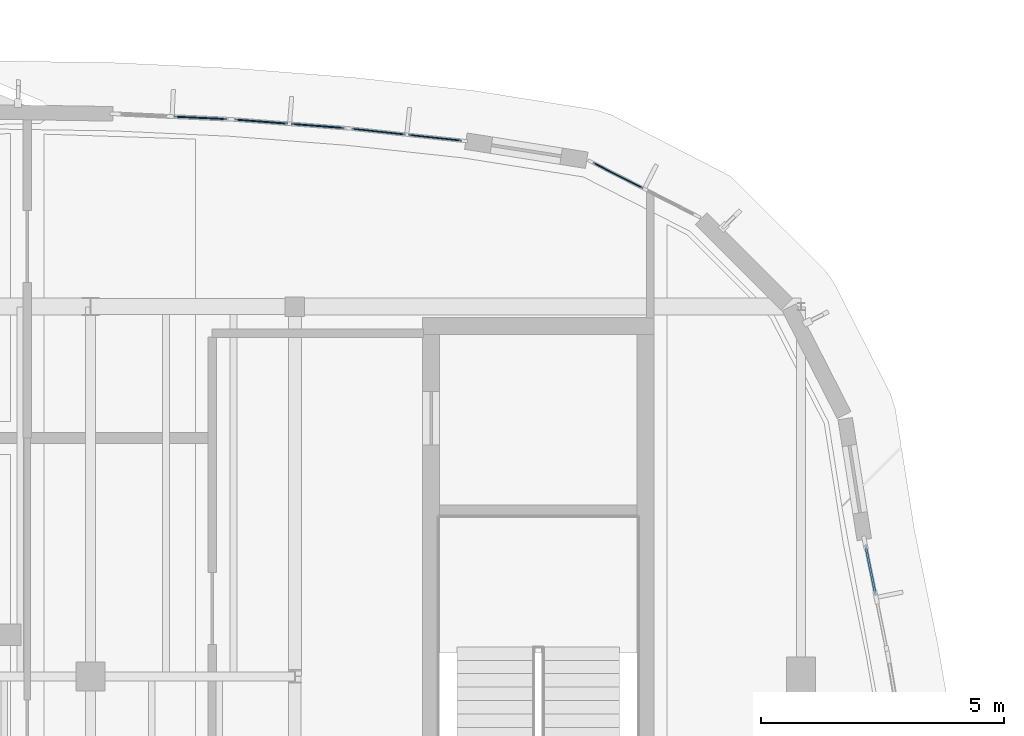
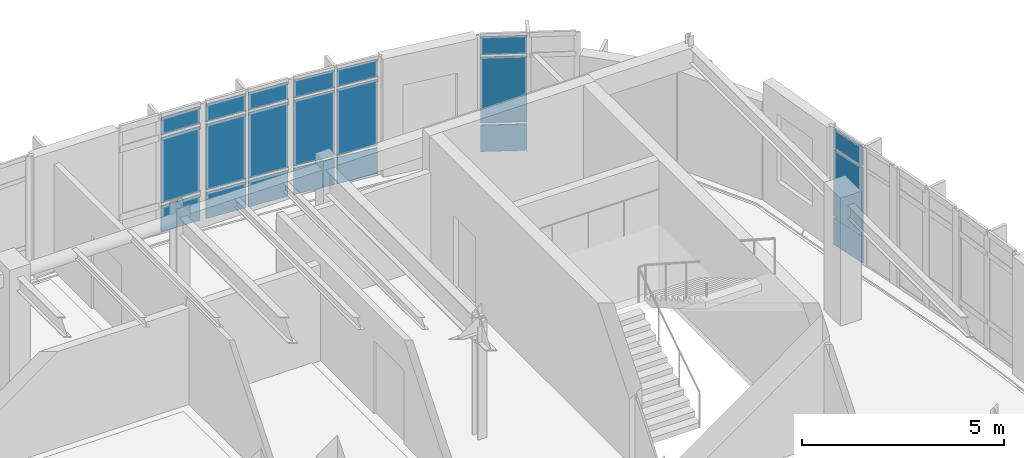
# One storey, part 80 of 111: 21 plates, 5 elements without a shape of their own.
"""IFC4 building model written with IfcOpenShell, lengths in metres."""

import ifcopenshell
import ifcopenshell.guid

model = None  # the IFC model being written
_history = None  # IfcOwnerHistory: only IFC2X3 demands one
_inside = {}  # id of a spatial element -> (the spatial element, [elements in it])
_under = {}  # id of a project, library or spatial element -> (it, [spatial elements below it])
_declared = {}  # id of a project -> (the project, [libraries it declares])
_typed = {}  # id of a type object -> (the type object, [elements of that type])
_made_of = {}  # id of a material, layer set ... -> (it, [elements and type objects made of it])


def new_model(schema):
    """Start an empty IFC model of exactly this schema.

    Asked for "IFC4X3", IfcOpenShell would pick the latest addendum, in which some entities
    have other attributes; the version numbers below select the first issue.
    IFC2X3 requires an IfcOwnerHistory on every rooted entity: one is made here for all.
    """
    global model, _history
    if schema == "IFC4X3":
        model = ifcopenshell.file(schema_version=(4, 3, 0, 0))
    else:
        model = ifcopenshell.file(schema=schema)
    _inside.clear()
    _under.clear()
    _declared.clear()
    _typed.clear()
    _made_of.clear()
    _history = None
    if model.schema == "IFC2X3":
        org = make("IfcOrganization", Name="unknown")
        user = make(
            "IfcPersonAndOrganization",
            ThePerson=make("IfcPerson", FamilyName="unknown"),
            TheOrganization=org,
        )
        app = make(
            "IfcApplication",
            ApplicationDeveloper=org,
            Version="unknown",
            ApplicationFullName="unknown",
            ApplicationIdentifier="unknown",
        )
        _history = make(
            "IfcOwnerHistory",
            OwningUser=user,
            OwningApplication=app,
            ChangeAction="ADDED",
            CreationDate=0,
        )
    return model


def make(cls, **values):
    """One entity of the class cls with the attributes given. An attribute that is None is left unset."""
    return model.create_entity(
        cls, **{name: value for name, value in values.items() if value is not None}
    )


def rooted(cls, **values):
    """An entity with a GlobalId (a new one), such as an element, a storey or a relation."""
    return make(cls, GlobalId=ifcopenshell.guid.new(), OwnerHistory=_history, **values)


def si_unit(unit_type, name, prefix=None):
    """IfcSIUnit, for example si_unit("LENGTHUNIT", "METRE", prefix="MILLI")."""
    return make("IfcSIUnit", UnitType=unit_type, Prefix=prefix, Name=name)


def assignment(units):
    """IfcUnitAssignment: the units of a project."""
    return None if units is None else make("IfcUnitAssignment", Units=units)


def point(xyz):
    """IfcCartesianPoint."""
    return None if xyz is None else make("IfcCartesianPoint", Coordinates=xyz)


def direction(xyz):
    """IfcDirection."""
    return None if xyz is None else make("IfcDirection", DirectionRatios=xyz)


def frame(location, z_axis=None, x_axis=None):
    """IfcAxis2Placement3D, a coordinate frame: its origin and axes. An axis left out is left unset."""
    return make(
        "IfcAxis2Placement3D",
        Location=point(location),
        Axis=direction(z_axis),
        RefDirection=direction(x_axis),
    )


def frame_2d(location, x_axis=None):
    """IfcAxis2Placement2D, a coordinate frame in the plane: its origin and x axis."""
    return make(
        "IfcAxis2Placement2D", Location=point(location), RefDirection=direction(x_axis)
    )


def origin():
    """The frame at (0, 0, 0) with its axes left unset."""
    return frame((0.0, 0.0, 0.0))


def origin_2d():
    """The frame at (0, 0) in the plane with its x axis left unset."""
    return frame_2d((0.0, 0.0))


def place(relative_to, where):
    """IfcLocalPlacement: puts the frame where relative to a parent placement (None: the world)."""
    return make(
        "IfcLocalPlacement", PlacementRelTo=relative_to, RelativePlacement=where
    )


def context(
    kind, dimensions, precision=None, world=None, true_north=None, identifier=None
):
    """IfcGeometricRepresentationContext, for example the 3D "Model" context."""
    return make(
        "IfcGeometricRepresentationContext",
        ContextIdentifier=identifier,
        ContextType=kind,
        CoordinateSpaceDimension=dimensions,
        Precision=precision,
        WorldCoordinateSystem=world,
        TrueNorth=true_north,
    )


def subcontext(parent, identifier, kind, view, scale=None):
    """IfcGeometricRepresentationSubContext, for example "Body" below "Model"."""
    return make(
        "IfcGeometricRepresentationSubContext",
        ContextIdentifier=identifier,
        ContextType=kind,
        ParentContext=parent,
        TargetScale=scale,
        TargetView=view,
    )


def project(units=None, contexts=None):
    """IfcProject with its units and contexts."""
    return rooted(
        "IfcProject",
        Name="project",
        RepresentationContexts=contexts,
        UnitsInContext=assignment(units),
    )


def spatial(cls, under=None, at=None, **own):
    """A site, building, storey or space (cls), placed at a placement, below another one or the project."""
    s = rooted(cls, ObjectPlacement=at, **own)
    if under is not None:
        _under.setdefault(under.id(), (under, []))[1].append(s)
    return s


def profile(cls, at=None, kind="AREA", **sizes):
    """A parametric profile (cls). Its sizes go by their IFC names, for example OverallWidth=200.0."""
    return make(cls, ProfileType=kind, Position=at, **sizes)


def rectangle(**sizes):
    """IfcRectangleProfileDef."""
    return profile("IfcRectangleProfileDef", **sizes)


def extrude(swept, where, along, depth):
    """IfcExtrudedAreaSolid: the profile swept, set in the frame where, extruded along a direction by depth."""
    return make(
        "IfcExtrudedAreaSolid",
        SweptArea=swept,
        Position=where,
        ExtrudedDirection=direction(along),
        Depth=depth,
    )


def shape(context_of_items, identifier, shape_type, items):
    """IfcShapeRepresentation: the items that make up one representation, for example the "Body"."""
    return make(
        "IfcShapeRepresentation",
        ContextOfItems=context_of_items,
        RepresentationIdentifier=identifier,
        RepresentationType=shape_type,
        Items=items,
    )


def material(Name=None, Category=None):
    """IfcMaterial."""
    return make("IfcMaterial", Name=Name, Category=Category)


def layer(
    of_material, thickness, ventilated=None, Name=None, Category=None, Priority=None
):
    """IfcMaterialLayer: one layer of a wall or slab, of a material (None: an air gap)."""
    return make(
        "IfcMaterialLayer",
        Material=of_material,
        LayerThickness=thickness,
        IsVentilated=ventilated,
        Name=Name,
        Category=Category,
        Priority=Priority,
    )


def layer_set(layers, Name=None):
    """IfcMaterialLayerSet."""
    return make("IfcMaterialLayerSet", MaterialLayers=layers, LayerSetName=Name)


def made_of(thing, what):
    """Note that an element or type object is made of a material, layer set ...; save() writes the relation."""
    if what is not None:
        _made_of.setdefault(what.id(), (what, []))[1].append(thing)
    return thing


def type_object(cls, material=None, **own):
    """A type object (cls), such as IfcWallType, which elements share."""
    return made_of(rooted(cls, **own), material)


def element(
    cls,
    number,
    at=None,
    inside=None,
    cuts=None,
    type_object=None,
    material=None,
    context=None,
    identifier="Body",
    shape_type=None,
    held_by="IfcProductDefinitionShape",
    body=None,
    shapes=None,
    **own,
):
    """One element of the class cls, such as IfcWall. Its Tag is "e" and its number.

    at: its placement. inside: the storey or other place that contains it. cuts: it is an
    opening in that element (IfcRelVoidsElement). A single representation is given by context,
    identifier, shape_type and body (its items); several are given by shapes. held_by: the class
    of the entity that holds the representations. save() writes the other relations.
    """
    e = rooted(cls, Tag="e%d" % number, ObjectPlacement=at, **own)
    if body is not None:
        shapes = [shape(context, identifier, shape_type, body)]
    if shapes is not None:
        e.Representation = make(held_by, Representations=shapes)
    if inside is not None:
        _inside.setdefault(inside.id(), (inside, []))[1].append(e)
    if cuts is not None:
        rooted(
            "IfcRelVoidsElement", RelatingBuildingElement=cuts, RelatedOpeningElement=e
        )
    if type_object is not None:
        _typed.setdefault(type_object.id(), (type_object, []))[1].append(e)
    return made_of(e, material)


def aggregate(whole, parts):
    """IfcRelAggregates: a whole, such as a stair, and the parts it consists of."""
    return rooted("IfcRelAggregates", RelatingObject=whole, RelatedObjects=parts)


def save(model, path):
    """Write the relations noted so far, then the file.

    IfcRelAggregates (storeys below a building ...), IfcRelContainedInSpatialStructure (elements
    in a storey), IfcRelDefinesByType, IfcRelAssociatesMaterial and IfcRelDeclares: one each for
    every whole, place, type object, material and project.
    """
    for whole, parts in _under.values():
        aggregate(whole, parts)
    for where, things in _inside.values():
        rooted(
            "IfcRelContainedInSpatialStructure",
            RelatedElements=things,
            RelatingStructure=where,
        )
    for kind, things in _typed.values():
        rooted("IfcRelDefinesByType", RelatedObjects=things, RelatingType=kind)
    for what, things in _made_of.values():
        rooted("IfcRelAssociatesMaterial", RelatedObjects=things, RelatingMaterial=what)
    for by, libraries in _declared.values():
        rooted("IfcRelDeclares", RelatingContext=by, RelatedDefinitions=libraries)
    model.write(path)


model = new_model("IFC4")

# Units and contexts
model_context = context("Model", 3, precision=1e-05, world=origin(), true_north=direction((0.0, 1.0)))
body_context = subcontext(model_context, "Body", "Model", "MODEL_VIEW")
ifc_project = project(units=[si_unit("LENGTHUNIT", "METRE"), si_unit("AREAUNIT", "SQUARE_METRE"), si_unit("VOLUMEUNIT", "CUBIC_METRE"), si_unit("PLANEANGLEUNIT", "RADIAN"), si_unit("MASSUNIT", "GRAM", prefix="KILO")], contexts=[model_context])

# Site, building, storey
site_placement = place(None, origin())
site = spatial("IfcSite", under=ifc_project, at=site_placement, CompositionType="ELEMENT")
building_placement = place(site_placement, origin())
building = spatial("IfcBuilding", under=site, at=building_placement, Name="Corveleigh Park Community Centre", CompositionType="ELEMENT")
storey_placement = place(building_placement, frame((0.0, 0.0, 4.800048828125)))
storey = spatial("IfcBuildingStorey", under=building, at=storey_placement, Name="L01", CompositionType="ELEMENT", Elevation=4.800048828125)

# Curtain wall, plates
ifc_material_1 = material(Name="Anodised aluminium 6063-T6", Category="aluminium")
curtain_wall_type = type_object("IfcCurtainWallType", Name="CW-SYS-V4-L01", PredefinedType="NOTDEFINED", material=ifc_material_1)
curtain_wall_1_placement = place(storey_placement, origin())
curtain_wall_1 = element("IfcCurtainWall", 1, at=curtain_wall_1_placement, inside=storey, type_object=curtain_wall_type, Name="V4 L01 Curtain Wall 277", PredefinedType="NOTDEFINED")
ifc_material_2 = material(Name="Low-E double glazing", Category="glass")
ifc_layer_1 = layer(ifc_material_2, 0.02392578125, Name="Low-E double glazing", Category="glass")
ifc_layer_set_1 = layer_set([ifc_layer_1], Name="Low-E double glazing")
plate_type_1 = type_object("IfcPlateType", Name="CWP-GLZ-24", PredefinedType="CURTAIN_PANEL", material=ifc_layer_set_1)
plate_1_placement = place(storey_placement, frame((164.6357421875, 106.892333984375, 0.06494140625), z_axis=(0.0, 0.0, 1.0), x_axis=(0.89086471553, -0.454268707511, 0.0)))
plate_1 = element("IfcPlate", 2, at=plate_1_placement, type_object=plate_type_1, Name="CW08 panel 1.1", PredefinedType="CURTAIN_PANEL", context=body_context, shape_type="SweptSolid", body=[
    extrude(rectangle(XDim=1.15478515625, YDim=0.02392578125, at=origin_2d()), origin(), (0.0, 0.0, 1.0), 0.802490234375),
])
plate_2_placement = place(storey_placement, frame((164.6357421875, 106.892333984375, 0.932373046875), z_axis=(0.0, 0.0, 1.0), x_axis=(0.89086471553, -0.454268707511, 0.0)))
plate_2 = element("IfcPlate", 3, at=plate_2_placement, type_object=plate_type_1, Name="CW08 panel 1.2", PredefinedType="CURTAIN_PANEL", context=body_context, shape_type="SweptSolid", body=[
    extrude(rectangle(XDim=1.15478515625, YDim=0.02392578125, at=origin_2d()), origin(), (0.0, 0.0, 1.0), 1.9970703125),
])
plate_3_placement = place(storey_placement, frame((164.6357421875, 106.892333984375, 2.99462890625), z_axis=(0.0, 0.0, 1.0), x_axis=(0.89086471553, -0.454268707511, 0.0)))
plate_3 = element("IfcPlate", 4, at=plate_3_placement, type_object=plate_type_1, Name="CW08 panel 1.3", PredefinedType="CURTAIN_PANEL", context=body_context, shape_type="SweptSolid", body=[
    extrude(rectangle(XDim=1.15478515625, YDim=0.02392578125, at=origin_2d()), origin(), (0.0, 0.0, 1.0), 0.552490234375),
])
aggregate(curtain_wall_1, [plate_1, plate_2, plate_3])

curtain_wall_2_placement = place(storey_placement, origin())
curtain_wall_2 = element("IfcCurtainWall", 5, at=curtain_wall_2_placement, inside=storey, type_object=curtain_wall_type, Name="V4 L01 Curtain Wall 278", PredefinedType="NOTDEFINED")
plate_4_placement = place(storey_placement, frame((159.717041015625, 107.79345703125, 0.070068359375), z_axis=(0.0, 0.0, 1.0), x_axis=(0.994150304811, -0.108005423213, 0.0)))
plate_4 = element("IfcPlate", 6, at=plate_4_placement, type_object=plate_type_1, Name="CW08 panel 1.1", PredefinedType="CURTAIN_PANEL", context=body_context, shape_type="SweptSolid", body=[
    extrude(rectangle(XDim=1.1015625, YDim=0.02392578125, at=origin_2d()), origin(), (0.0, 0.0, 1.0), 0.794921875),
])
plate_5_placement = place(storey_placement, frame((159.717041015625, 107.79345703125, 0.93505859375), z_axis=(0.0, 0.0, 1.0), x_axis=(0.994150304811, -0.108005423213, 0.0)))
plate_5 = element("IfcPlate", 7, at=plate_5_placement, type_object=plate_type_1, Name="CW08 panel 1.2", PredefinedType="CURTAIN_PANEL", context=body_context, shape_type="SweptSolid", body=[
    extrude(rectangle(XDim=1.1015625, YDim=0.02392578125, at=origin_2d()), origin(), (0.0, 0.0, 1.0), 1.991943359375),
])
plate_6_placement = place(storey_placement, frame((159.717041015625, 107.79345703125, 2.9970703125), z_axis=(0.0, 0.0, 1.0), x_axis=(0.994150304811, -0.108005423213, 0.0)))
plate_6 = element("IfcPlate", 8, at=plate_6_placement, type_object=plate_type_1, Name="CW08 panel 1.3", PredefinedType="CURTAIN_PANEL", context=body_context, shape_type="SweptSolid", body=[
    extrude(rectangle(XDim=1.1015625, YDim=0.02392578125, at=origin_2d()), origin(), (0.0, 0.0, 1.0), 0.544921875),
])
plate_7_placement = place(storey_placement, frame((160.876953125, 107.66748046875, 0.070068359375), z_axis=(0.0, 0.0, 1.0), x_axis=(0.994150304811, -0.108005423213, 0.0)))
plate_7 = element("IfcPlate", 9, at=plate_7_placement, type_object=plate_type_1, Name="CW08 panel 2.1", PredefinedType="CURTAIN_PANEL", context=body_context, shape_type="SweptSolid", body=[
    extrude(rectangle(XDim=1.1015625, YDim=0.02392578125, at=origin_2d()), origin(), (0.0, 0.0, 1.0), 0.794921875),
])
plate_8_placement = place(storey_placement, frame((160.876953125, 107.66748046875, 0.93505859375), z_axis=(0.0, 0.0, 1.0), x_axis=(0.994150304811, -0.108005423213, 0.0)))
plate_8 = element("IfcPlate", 10, at=plate_8_placement, type_object=plate_type_1, Name="CW08 panel 2.2", PredefinedType="CURTAIN_PANEL", context=body_context, shape_type="SweptSolid", body=[
    extrude(rectangle(XDim=1.1015625, YDim=0.02392578125, at=origin_2d()), origin(), (0.0, 0.0, 1.0), 1.991943359375),
])
plate_9_placement = place(storey_placement, frame((160.876953125, 107.66748046875, 2.9970703125), z_axis=(0.0, 0.0, 1.0), x_axis=(0.994150304811, -0.108005423213, 0.0)))
plate_9 = element("IfcPlate", 11, at=plate_9_placement, type_object=plate_type_1, Name="CW08 panel 2.3", PredefinedType="CURTAIN_PANEL", context=body_context, shape_type="SweptSolid", body=[
    extrude(rectangle(XDim=1.1015625, YDim=0.02392578125, at=origin_2d()), origin(), (0.0, 0.0, 1.0), 0.544921875),
])
aggregate(curtain_wall_2, [plate_4, plate_5, plate_6, plate_7, plate_8, plate_9])

curtain_wall_3_placement = place(storey_placement, origin())
curtain_wall_3 = element("IfcCurtainWall", 12, at=curtain_wall_3_placement, inside=storey, type_object=curtain_wall_type, Name="V4 L01 Curtain Wall 279", PredefinedType="NOTDEFINED")
ifc_layer_2 = layer(ifc_material_2, 0.028076171875, Name="Low-E double glazing", Category="glass")
ifc_layer_set_2 = layer_set([ifc_layer_2], Name="Low-E double glazing")
plate_type_2 = type_object("IfcPlateType", Name="CWP-GLZ-28", PredefinedType="CURTAIN_PANEL", material=ifc_layer_set_2)
plate_10_placement = place(storey_placement, frame((157.308837890625, 107.998779296875, 0.074951171875), z_axis=(0.0, 0.0, 1.0), x_axis=(0.997059383263, -0.076632801378, 0.0)))
plate_10 = element("IfcPlate", 13, at=plate_10_placement, type_object=plate_type_2, Name="CW08 panel 1.1", PredefinedType="CURTAIN_PANEL", context=body_context, shape_type="SweptSolid", body=[
    extrude(rectangle(XDim=1.095458984375, YDim=0.028076171875, at=origin_2d()), origin(), (0.0, 0.0, 1.0), 0.78759765625),
])
plate_11_placement = place(storey_placement, frame((157.308837890625, 107.998779296875, 0.9375), z_axis=(0.0, 0.0, 1.0), x_axis=(0.997059383263, -0.076632801378, 0.0)))
plate_11 = element("IfcPlate", 14, at=plate_11_placement, type_object=plate_type_2, Name="CW08 panel 1.2", PredefinedType="CURTAIN_PANEL", context=body_context, shape_type="SweptSolid", body=[
    extrude(rectangle(XDim=1.095458984375, YDim=0.028076171875, at=origin_2d()), origin(), (0.0, 0.0, 1.0), 1.987060546875),
])
plate_12_placement = place(storey_placement, frame((157.308837890625, 107.998779296875, 2.99951171875), z_axis=(0.0, 0.0, 1.0), x_axis=(0.997059383263, -0.076632801378, 0.0)))
plate_12 = element("IfcPlate", 15, at=plate_12_placement, type_object=plate_type_2, Name="CW08 panel 1.3", PredefinedType="CURTAIN_PANEL", context=body_context, shape_type="SweptSolid", body=[
    extrude(rectangle(XDim=1.095458984375, YDim=0.028076171875, at=origin_2d()), origin(), (0.0, 0.0, 1.0), 0.53759765625),
])
plate_13_placement = place(storey_placement, frame((158.470947265625, 107.909423828125, 0.074951171875), z_axis=(0.0, 0.0, 1.0), x_axis=(0.997059383263, -0.076632801378, 0.0)))
plate_13 = element("IfcPlate", 16, at=plate_13_placement, type_object=plate_type_2, Name="CW08 panel 2.1", PredefinedType="CURTAIN_PANEL", context=body_context, shape_type="SweptSolid", body=[
    extrude(rectangle(XDim=1.095458984375, YDim=0.028076171875, at=origin_2d()), origin(), (0.0, 0.0, 1.0), 0.78759765625),
])
plate_14_placement = place(storey_placement, frame((158.470947265625, 107.909423828125, 0.9375), z_axis=(0.0, 0.0, 1.0), x_axis=(0.997059383263, -0.076632801378, 0.0)))
plate_14 = element("IfcPlate", 17, at=plate_14_placement, type_object=plate_type_2, Name="CW08 panel 2.2", PredefinedType="CURTAIN_PANEL", context=body_context, shape_type="SweptSolid", body=[
    extrude(rectangle(XDim=1.095458984375, YDim=0.028076171875, at=origin_2d()), origin(), (0.0, 0.0, 1.0), 1.987060546875),
])
plate_15_placement = place(storey_placement, frame((158.470947265625, 107.909423828125, 2.99951171875), z_axis=(0.0, 0.0, 1.0), x_axis=(0.997059383263, -0.076632801378, 0.0)))
plate_15 = element("IfcPlate", 18, at=plate_15_placement, type_object=plate_type_2, Name="CW08 panel 2.3", PredefinedType="CURTAIN_PANEL", context=body_context, shape_type="SweptSolid", body=[
    extrude(rectangle(XDim=1.095458984375, YDim=0.028076171875, at=origin_2d()), origin(), (0.0, 0.0, 1.0), 0.53759765625),
])
aggregate(curtain_wall_3, [plate_10, plate_11, plate_12, plate_13, plate_14, plate_15])

curtain_wall_4_placement = place(storey_placement, origin())
curtain_wall_4 = element("IfcCurtainWall", 19, at=curtain_wall_4_placement, inside=storey, type_object=curtain_wall_type, Name="V4 L01 Curtain Wall 280", PredefinedType="NOTDEFINED")
plate_16_placement = place(storey_placement, frame((156.056884765625, 108.075927734375, 0.080078125), z_axis=(0.0, 0.0, 1.0), x_axis=(0.998911075247, -0.046654729122, 0.0)))
plate_16 = element("IfcPlate", 20, at=plate_16_placement, type_object=plate_type_2, Name="CW08 panel 2.1", PredefinedType="CURTAIN_PANEL", context=body_context, shape_type="SweptSolid", body=[
    extrude(rectangle(XDim=1.087890625, YDim=0.028076171875, at=origin_2d()), origin(), (0.0, 0.0, 1.0), 0.780029296875),
])
plate_17_placement = place(storey_placement, frame((156.056884765625, 108.075927734375, 0.93994140625), z_axis=(0.0, 0.0, 1.0), x_axis=(0.998911075247, -0.046654729122, 0.0)))
plate_17 = element("IfcPlate", 21, at=plate_17_placement, type_object=plate_type_2, Name="CW08 panel 2.2", PredefinedType="CURTAIN_PANEL", context=body_context, shape_type="SweptSolid", body=[
    extrude(rectangle(XDim=1.087890625, YDim=0.028076171875, at=origin_2d()), origin(), (0.0, 0.0, 1.0), 1.98193359375),
])
plate_18_placement = place(storey_placement, frame((156.056884765625, 108.075927734375, 3.001953125), z_axis=(0.0, 0.0, 1.0), x_axis=(0.998911075247, -0.046654729122, 0.0)))
plate_18 = element("IfcPlate", 22, at=plate_18_placement, type_object=plate_type_2, Name="CW08 panel 2.3", PredefinedType="CURTAIN_PANEL", context=body_context, shape_type="SweptSolid", body=[
    extrude(rectangle(XDim=1.087890625, YDim=0.028076171875, at=origin_2d()), origin(), (0.0, 0.0, 1.0), 0.530029296875),
])
aggregate(curtain_wall_4, [plate_16, plate_17, plate_18])

curtain_wall_5_placement = place(storey_placement, origin())
curtain_wall_5 = element("IfcCurtainWall", 23, at=curtain_wall_5_placement, inside=storey, type_object=curtain_wall_type, Name="V4 L01 Curtain Wall 276", PredefinedType="NOTDEFINED")
ifc_layer_3 = layer(ifc_material_2, 0.0439453125, Name="Low-E double glazing", Category="glass")
ifc_layer_set_3 = layer_set([ifc_layer_3], Name="Low-E double glazing")
plate_type_3 = type_object("IfcPlateType", Name="CWP-GLZ-44", PredefinedType="CURTAIN_PANEL", material=ifc_layer_set_3)
plate_19_placement = place(storey_placement, frame((169.825439453125, 98.784912109375, 0.059814453125), z_axis=(0.0, 0.0, 1.0), x_axis=(0.19998465427, -0.979799029422, 0.0)))
plate_19 = element("IfcPlate", 24, at=plate_19_placement, type_object=plate_type_3, Name="CW08 panel 1.1", PredefinedType="CURTAIN_PANEL", context=body_context, shape_type="SweptSolid", body=[
    extrude(rectangle(XDim=1.065185546875, YDim=0.0439453125, at=origin_2d()), origin(), (0.0, 0.0, 1.0), 0.81005859375),
])
plate_20_placement = place(storey_placement, frame((169.825439453125, 98.784912109375, 0.929931640625), z_axis=(0.0, 0.0, 1.0), x_axis=(0.19998465427, -0.979799029422, 0.0)))
plate_20 = element("IfcPlate", 25, at=plate_20_placement, type_object=plate_type_3, Name="CW08 panel 1.2", PredefinedType="CURTAIN_PANEL", context=body_context, shape_type="SweptSolid", body=[
    extrude(rectangle(XDim=1.065185546875, YDim=0.0439453125, at=origin_2d()), origin(), (0.0, 0.0, 1.0), 2.001953125),
])
plate_21_placement = place(storey_placement, frame((169.825439453125, 98.784912109375, 2.991943359375), z_axis=(0.0, 0.0, 1.0), x_axis=(0.19998465427, -0.979799029422, 0.0)))
plate_21 = element("IfcPlate", 26, at=plate_21_placement, type_object=plate_type_3, Name="CW08 panel 1.3", PredefinedType="CURTAIN_PANEL", context=body_context, shape_type="SweptSolid", body=[
    extrude(rectangle(XDim=1.065185546875, YDim=0.0439453125, at=origin_2d()), origin(), (0.0, 0.0, 1.0), 0.56005859375),
])
aggregate(curtain_wall_5, [plate_19, plate_20, plate_21])

save(model, "model.ifc")
